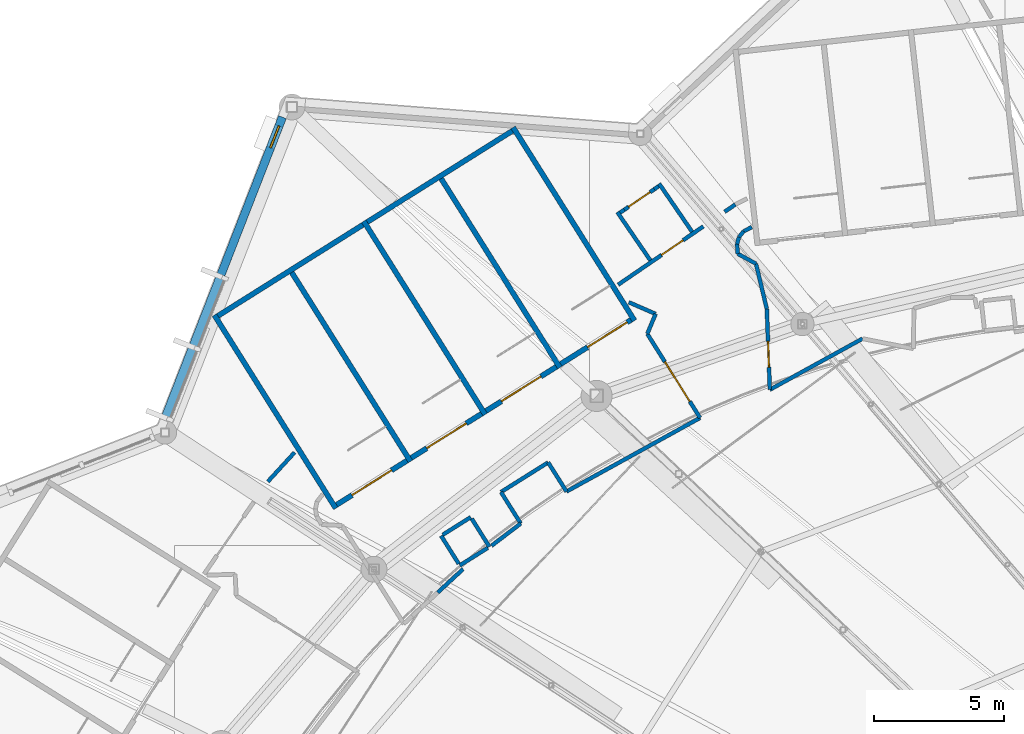
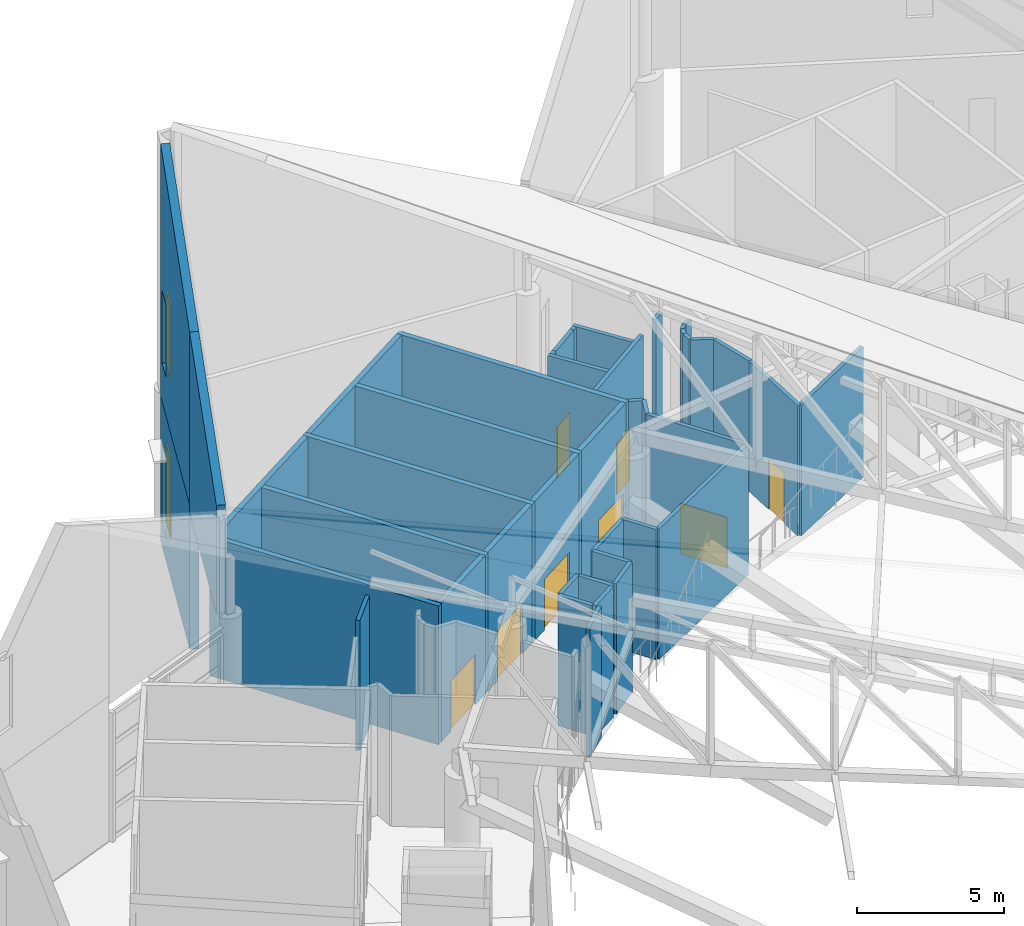
# One storey, part 264 of 344: 43 walls, 8 doors, 2 windows, 10 openings.
"""IFC4 building model written with IfcOpenShell, lengths in metres."""

from ifc_helpers import new_model, si_unit, direction, frame, frame_2d, origin, place, context, subcontext, project, spatial, polyline, rectangle, outline, extrude, material, layer, layer_set, type_object, element, fill, save


model = new_model("IFC4")

# Units and contexts
model_context = context("Model", 3, precision=1e-05, world=origin(), true_north=direction((0.0, 1.0)))
body_context = subcontext(model_context, "Body", "Model", "MODEL_VIEW")
ifc_project = project(units=[si_unit("LENGTHUNIT", "METRE"), si_unit("AREAUNIT", "SQUARE_METRE"), si_unit("VOLUMEUNIT", "CUBIC_METRE"), si_unit("PLANEANGLEUNIT", "RADIAN"), si_unit("MASSUNIT", "GRAM", prefix="KILO")], contexts=[model_context])

# Site, building, storey
site_placement = place(None, origin())
site = spatial("IfcSite", under=ifc_project, at=site_placement, CompositionType="ELEMENT")
building_placement = place(site_placement, origin())
building = spatial("IfcBuilding", under=site, at=building_placement, Name="Meseta Stadium", CompositionType="ELEMENT")
storey_placement = place(building_placement, frame((0.0, 0.0, 24.0)))
storey = spatial("IfcBuildingStorey", under=building, at=storey_placement, Name="L04", CompositionType="ELEMENT", Elevation=24.0)

# Walls
ifc_material_1 = material(Name="Concrete C40/50", Category="concrete")
ifc_layer_1 = layer(ifc_material_1, 0.199951171875)
ifc_layer_set_1 = layer_set([ifc_layer_1], Name="Core divider wall 200")
wall_type_1 = type_object("IfcWallType", Name="Core divider wall 200", PredefinedType="SHEAR", material=ifc_layer_set_1)
wall_1_placement = place(storey_placement, frame((-69.8291015625, 94.314453125, 0.0), z_axis=(0.0, 0.0, 1.0), x_axis=(0.532032334759, -0.846724036963, 0.0)))
element("IfcWall", 1, at=wall_1_placement, inside=storey, type_object=wall_type_1, Name="Core 13 L04 stair A divider wall", PredefinedType="SHEAR", context=body_context, shape_type="SweptSolid", body=[
    extrude(rectangle(XDim=8.800048828125, YDim=0.199951171875, at=frame_2d((4.39990234375, 0.0))), origin(), (0.0, 0.0, 1.0), 5.75),
])
wall_2_placement = place(storey_placement, frame((-75.5869140625, 90.696533203125, 0.0), z_axis=(0.0, 0.0, 1.0), x_axis=(0.532044832901, -0.846716183726, 0.0)))
element("IfcWall", 2, at=wall_2_placement, inside=storey, type_object=wall_type_1, Name="Core 13 L04 stair B divider wall", PredefinedType="SHEAR", context=body_context, shape_type="SweptSolid", body=[
    extrude(rectangle(XDim=8.7998046875, YDim=0.199951171875, at=frame_2d((4.39990234375, 0.0))), origin(), (0.0, 0.0, 1.0), 5.75),
])
ifc_material_2 = material(Name="Concrete C40/50", Category="concrete")
ifc_layer_2 = layer(ifc_material_2, 0.199951171875)
ifc_layer_set_2 = layer_set([ifc_layer_2], Name="Core shaft wall 200")
wall_type_2 = type_object("IfcWallType", Name="Core shaft wall 200", PredefinedType="SHEAR", material=ifc_layer_set_2)
for number, where, z_axis, x_axis, name in (
    (3, (-66.9501953125, 96.123291015625, 0.0), (0.0, 0.0, 1.0), (0.532032334759, -0.846724036963, 0.0), "Core 13 L04 stair wall A-side"),
    (4, (-72.7080078125, 92.505615234375, 0.0), (0.0, 0.0, 1.0), (0.532032334759, -0.846724036963, 0.0), "Core 13 L04 stair wall shared"),
    (5, (-78.4658203125, 88.8876953125, 0.0), (0.0, 0.0, 1.0), (0.532032334759, -0.846724036963, 0.0), "Core 13 L04 stair wall B-side"),
):
    element("IfcWall", number, at=place(storey_placement, frame(where, z_axis=z_axis, x_axis=x_axis)), inside=storey, type_object=wall_type_2, Name=name, PredefinedType="SHEAR", context=body_context, shape_type="SweptSolid", body=[
        extrude(rectangle(XDim=8.800048828125, YDim=0.199951171875, at=frame_2d((4.39990234375, 0.0))), origin(), (0.0, 0.0, 1.0), 5.75),
    ])
for number, where, z_axis, x_axis, name in (
    (6, (-66.981689453125, 95.985595703125, 0.0), (0.0, 0.0, 1.0), (-0.846719870989, -0.532038964807, 0.0), "Core 13 L04 stair A outer end wall"),
    (7, (-72.739501953125, 92.36767578125, 0.0), (0.0, 0.0, 1.0), (-0.846719870989, -0.532038964807, 0.0), "Core 13 L04 stair B outer end wall"),
):
    element("IfcWall", number, at=place(storey_placement, frame(where, z_axis=z_axis, x_axis=x_axis)), inside=storey, type_object=wall_type_2, Name=name, PredefinedType="SHEAR", context=body_context, shape_type="SweptSolid", body=[
        extrude(rectangle(XDim=6.60009765625, YDim=0.199951171875, at=frame_2d((3.300048828125, 0.0))), origin(), (0.0, 0.0, 1.0), 5.75),
    ])

# Wall, opening, door
wall_3_placement = place(storey_placement, frame((-62.40625, 88.70361328125, 0.0), z_axis=(0.0, 0.0, 1.0), x_axis=(-0.846735733015, -0.532013720158, 0.0)))
wall_3 = element("IfcWall", 8, at=wall_3_placement, inside=storey, type_object=wall_type_2, Name="Core 13 L04 stair A1 inner end wall", PredefinedType="SHEAR", context=body_context, shape_type="SweptSolid", body=[
    extrude(rectangle(XDim=3.199951171875, YDim=0.199951171875, at=frame_2d((1.60009765625, 0.0))), origin(), (0.0, 0.0, 1.0), 5.75),
])
opening_1_placement = place(wall_3_placement, frame((0.177978515625, 0.0, 0.0)))
opening_1 = element("IfcOpeningElement", 9, at=opening_1_placement, cuts=wall_3, Name="Opening D1556", PredefinedType="OPENING", context=body_context, shape_type="SweptSolid", body=[
    extrude(rectangle(XDim=1.800048828125, YDim=2.10009765625, at=frame_2d((0.89990234375, 1.050048828125))), frame((0.0, 0.10986328125, 0.0), z_axis=(0.0, -1.0, 0.0), x_axis=(1.0, 0.0, 0.0)), (0.0, 0.0, 1.0), 0.219970703125),
])
ifc_material_3 = material(Name="Steel", Category="steel")
door_type_1 = type_object("IfcDoorType", Name="Stair door 1800x2100", OperationType="DOUBLE_DOOR_SINGLE_SWING", PredefinedType="DOOR", material=ifc_material_3)
door_1_placement = place(opening_1_placement, origin())
door_1 = element("IfcDoor", 10, at=door_1_placement, inside=storey, type_object=door_type_1, Name="Stair A1 door 13 L04", OperationType="DOUBLE_DOOR_SINGLE_SWING", OverallHeight=2.10009765625, OverallWidth=1.800048828125, PredefinedType="DOOR", context=body_context, shape_type="SweptSolid", body=[
    extrude(rectangle(XDim=1.800048828125, YDim=2.10009765625, at=frame_2d((0.89990234375, 1.050048828125))), frame((0.0, 0.02490234375, 0.0), z_axis=(0.0, -1.0, 0.0), x_axis=(1.0, 0.0, 0.0)), (0.0, 0.0, 1.0), 0.050048828125),
])
fill(opening_1, door_1)

wall_4_placement = place(storey_placement, frame((-65.28515625, 86.894775390625, 0.0), z_axis=(0.0, 0.0, 1.0), x_axis=(-0.846735733015, -0.532013720158, 0.0)))
wall_4 = element("IfcWall", 11, at=wall_4_placement, inside=storey, type_object=wall_type_2, Name="Core 13 L04 stair A2 inner end wall", PredefinedType="SHEAR", context=body_context, shape_type="SweptSolid", body=[
    extrude(rectangle(XDim=3.199951171875, YDim=0.199951171875, at=frame_2d((1.60009765625, 0.0))), origin(), (0.0, 0.0, 1.0), 5.75),
])
opening_2_placement = place(wall_4_placement, frame((0.699951171875, 0.0, 0.0)))
opening_2 = element("IfcOpeningElement", 12, at=opening_2_placement, cuts=wall_4, Name="Opening D1553", PredefinedType="OPENING", context=body_context, shape_type="SweptSolid", body=[
    extrude(rectangle(XDim=1.800048828125, YDim=2.10009765625, at=frame_2d((0.89990234375, 1.050048828125))), frame((0.0, 0.10986328125, 0.0), z_axis=(0.0, -1.0, 0.0), x_axis=(1.0, 0.0, 0.0)), (0.0, 0.0, 1.0), 0.219970703125),
])
door_2_placement = place(opening_2_placement, origin())
door_2 = element("IfcDoor", 13, at=door_2_placement, inside=storey, type_object=door_type_1, Name="Stair A2 door 13 L04", OperationType="DOUBLE_DOOR_SINGLE_SWING", OverallHeight=2.10009765625, OverallWidth=1.800048828125, PredefinedType="DOOR", context=body_context, shape_type="SweptSolid", body=[
    extrude(rectangle(XDim=1.800048828125, YDim=2.10009765625, at=frame_2d((0.89990234375, 1.050048828125))), frame((0.0, 0.02490234375, 0.0), z_axis=(0.0, -1.0, 0.0), x_axis=(1.0, 0.0, 0.0)), (0.0, 0.0, 1.0), 0.050048828125),
])
fill(opening_2, door_2)

wall_5_placement = place(storey_placement, frame((-68.1640625, 85.0859375, 0.0), z_axis=(0.0, 0.0, 1.0), x_axis=(-0.84670136309, -0.53206841829, 0.0)))
wall_5 = element("IfcWall", 14, at=wall_5_placement, inside=storey, type_object=wall_type_2, Name="Core 13 L04 stair B1 inner end wall", PredefinedType="SHEAR", context=body_context, shape_type="SweptSolid", body=[
    extrude(rectangle(XDim=3.199951171875, YDim=0.199951171875, at=frame_2d((1.60009765625, 0.0))), origin(), (0.0, 0.0, 1.0), 5.75),
])
opening_3_placement = place(wall_5_placement, frame((0.699951171875, 0.0, 0.0)))
opening_3 = element("IfcOpeningElement", 15, at=opening_3_placement, cuts=wall_5, Name="Opening D1552", PredefinedType="OPENING", context=body_context, shape_type="SweptSolid", body=[
    extrude(rectangle(XDim=1.800048828125, YDim=2.10009765625, at=frame_2d((0.89990234375, 1.050048828125))), frame((0.0, 0.10986328125, 0.0), z_axis=(0.0, -1.0, 0.0), x_axis=(1.0, 0.0, 0.0)), (0.0, 0.0, 1.0), 0.219970703125),
])
door_3_placement = place(opening_3_placement, origin())
door_3 = element("IfcDoor", 16, at=door_3_placement, inside=storey, type_object=door_type_1, Name="Stair B1 door 13 L04", OperationType="DOUBLE_DOOR_SINGLE_SWING", OverallHeight=2.10009765625, OverallWidth=1.800048828125, PredefinedType="DOOR", context=body_context, shape_type="SweptSolid", body=[
    extrude(rectangle(XDim=1.800048828125, YDim=2.10009765625, at=frame_2d((0.89990234375, 1.050048828125))), frame((0.0, 0.02490234375, 0.0), z_axis=(0.0, -1.0, 0.0), x_axis=(1.0, 0.0, 0.0)), (0.0, 0.0, 1.0), 0.050048828125),
])
fill(opening_3, door_3)

wall_6_placement = place(storey_placement, frame((-71.04296875, 83.27685546875, 0.0), z_axis=(0.0, 0.0, 1.0), x_axis=(-0.846735733015, -0.532013720158, 0.0)))
wall_6 = element("IfcWall", 17, at=wall_6_placement, inside=storey, type_object=wall_type_2, Name="Core 13 L04 stair B2 inner end wall", PredefinedType="SHEAR", context=body_context, shape_type="SweptSolid", body=[
    extrude(rectangle(XDim=3.199951171875, YDim=0.199951171875, at=frame_2d((1.60009765625, 0.0))), origin(), (0.0, 0.0, 1.0), 5.75),
])
opening_4_placement = place(wall_6_placement, frame((0.699951171875, 0.0, 0.0)))
opening_4 = element("IfcOpeningElement", 18, at=opening_4_placement, cuts=wall_6, Name="Opening D1550", PredefinedType="OPENING", context=body_context, shape_type="SweptSolid", body=[
    extrude(rectangle(XDim=1.800048828125, YDim=2.10009765625, at=frame_2d((0.89990234375, 1.050048828125))), frame((0.0, 0.10986328125, 0.0), z_axis=(0.0, -1.0, 0.0), x_axis=(1.0, 0.0, 0.0)), (0.0, 0.0, 1.0), 0.219970703125),
])
door_4_placement = place(opening_4_placement, origin())
door_4 = element("IfcDoor", 19, at=door_4_placement, inside=storey, type_object=door_type_1, Name="Stair B2 door 13 L04", OperationType="DOUBLE_DOOR_SINGLE_SWING", OverallHeight=2.10009765625, OverallWidth=1.800048828125, PredefinedType="DOOR", context=body_context, shape_type="SweptSolid", body=[
    extrude(rectangle(XDim=1.800048828125, YDim=2.10009765625, at=frame_2d((0.89990234375, 1.050048828125))), frame((0.0, 0.02490234375, 0.0), z_axis=(0.0, -1.0, 0.0), x_axis=(1.0, 0.0, 0.0)), (0.0, 0.0, 1.0), 0.050048828125),
])
fill(opening_4, door_4)

# Wall
ifc_material_4 = material(Name="Masonry blockwork", Category="masonry")
ifc_layer_3 = layer(ifc_material_4, 0.14990234375)
ifc_layer_set_3 = layer_set([ifc_layer_3], Name="Partition 150")
wall_type_3 = type_object("IfcWallType", Name="Partition 150", PredefinedType="PARTITIONING", material=ifc_layer_set_3)
wall_7_placement = place(storey_placement, frame((-58.386474609375, 93.14892578125, 0.0), z_axis=(0.0, 0.0, 1.0), x_axis=(-0.825114578753, -0.564965425428, 0.0)))
element("IfcWall", 20, at=wall_7_placement, inside=storey, type_object=wall_type_3, Name="Partition L04 L04-cell11-1-0", PredefinedType="PARTITIONING", context=body_context, shape_type="SweptSolid", body=[
    extrude(rectangle(XDim=0.497314453125, YDim=0.14990234375, at=frame_2d((0.24853515625, 0.0))), origin(), (0.0, 0.0, 1.0), 5.39990234375),
])

# Wall, opening, door
wall_8_placement = place(storey_placement, frame((-59.617919921875, 92.3056640625, 0.0), z_axis=(0.0, 0.0, 1.0), x_axis=(-0.825155279728, -0.564905978316, 0.0)))
wall_8 = element("IfcWall", 21, at=wall_8_placement, inside=storey, type_object=wall_type_3, Name="Partition L04 L04-cell11-1-0", PredefinedType="PARTITIONING", context=body_context, shape_type="SweptSolid", body=[
    extrude(rectangle(XDim=3.98046875, YDim=0.14990234375, at=frame_2d((1.990234375, 0.0))), origin(), (0.0, 0.0, 1.0), 5.39990234375),
])
opening_5_placement = place(wall_8_placement, frame((0.949951171875, 0.0, 0.0)))
opening_5 = element("IfcOpeningElement", 22, at=opening_5_placement, cuts=wall_8, Name="Opening D1559", PredefinedType="OPENING", context=body_context, shape_type="SweptSolid", body=[
    extrude(rectangle(XDim=1.0, YDim=2.10009765625, at=frame_2d((0.5, 1.050048828125))), frame((0.0, 0.0849609375, 0.0), z_axis=(0.0, -1.0, 0.0), x_axis=(1.0, 0.0, 0.0)), (0.0, 0.0, 1.0), 0.169921875),
])
ifc_material_5 = material(Name="Steel", Category="steel")
door_type_2 = type_object("IfcDoorType", Name="Fire door 1000x2100 EI2 60", OperationType="NOTDEFINED", PredefinedType="DOOR", material=ifc_material_5)
door_5_placement = place(opening_5_placement, origin())
door_5 = element("IfcDoor", 23, at=door_5_placement, inside=storey, type_object=door_type_2, Name="Room door L04 L04-cell11-1-0", OperationType="SINGLE_SWING_LEFT", OverallHeight=2.10009765625, OverallWidth=1.0, PredefinedType="DOOR", context=body_context, shape_type="SweptSolid", body=[
    extrude(rectangle(XDim=1.0, YDim=2.10009765625, at=frame_2d((0.5, 1.050048828125))), frame((0.0, 0.02490234375, 0.0), z_axis=(0.0, -1.0, 0.0), x_axis=(1.0, 0.0, 0.0)), (0.0, 0.0, 1.0), 0.050048828125),
])
fill(opening_5, door_5)

# Walls
wall_9_placement = place(storey_placement, frame((-75.374755859375, 83.592529296875, 0.0), z_axis=(0.0, 0.0, 1.0), x_axis=(-0.675448373627, -0.737407278622, 0.0)))
element("IfcWall", 24, at=wall_9_placement, inside=storey, type_object=wall_type_3, Name="Partition L04 L04-cell12-1-0", PredefinedType="PARTITIONING", context=body_context, shape_type="SweptSolid", body=[
    extrude(rectangle(XDim=1.52099609375, YDim=0.14990234375, at=frame_2d((0.760498046875, 0.0))), origin(), (0.0, 0.0, 1.0), 5.39990234375),
])
wall_10_placement = place(storey_placement, frame((-57.74609375, 92.279296875, 0.0), z_axis=(0.0, 0.0, 1.0), x_axis=(-0.893189909604, -0.449679647506, 0.0)))
element("IfcWall", 25, at=wall_10_placement, inside=storey, type_object=wall_type_3, Name="Stair vestibule wall L04 core 12", PredefinedType="PARTITIONING", context=body_context, shape_type="SweptSolid", body=[
    extrude(rectangle(XDim=0.356201171875, YDim=0.14990234375, at=frame_2d((0.17822265625, 0.0))), origin(), (0.0, 0.0, 1.0), 5.39990234375),
])
wall_11_placement = place(storey_placement, frame((-58.064208984375, 92.119140625, 0.0), z_axis=(0.0, 0.0, 1.0), x_axis=(-0.623858642008, -0.781537199878, 0.0)))
element("IfcWall", 26, at=wall_11_placement, inside=storey, type_object=wall_type_3, Name="Stair vestibule wall L04 core 12", PredefinedType="PARTITIONING", context=body_context, shape_type="SweptSolid", body=[
    extrude(rectangle(XDim=0.284912109375, YDim=0.14990234375, at=frame_2d((0.142578125, 0.0))), origin(), (0.0, 0.0, 1.0), 5.39990234375),
])
wall_12_placement = place(storey_placement, frame((-58.241943359375, 91.896484375, 0.0), z_axis=(0.0, 0.0, 1.0), x_axis=(-0.277006965163, -0.960867910408, 0.0)))
element("IfcWall", 27, at=wall_12_placement, inside=storey, type_object=wall_type_3, Name="Stair vestibule wall L04 core 12", PredefinedType="PARTITIONING", context=body_context, shape_type="SweptSolid", body=[
    extrude(rectangle(XDim=0.281982421875, YDim=0.14990234375, at=frame_2d((0.14111328125, 0.0))), origin(), (0.0, 0.0, 1.0), 5.39990234375),
])
wall_13_placement = place(storey_placement, frame((-58.320068359375, 91.62548828125, 0.0), z_axis=(0.0, 0.0, 1.0), x_axis=(0.07351223589, -0.997294315222, 0.0)))
element("IfcWall", 28, at=wall_13_placement, inside=storey, type_object=wall_type_3, Name="Stair vestibule wall L04 core 12", PredefinedType="PARTITIONING", context=body_context, shape_type="SweptSolid", body=[
    extrude(rectangle(XDim=0.375244140625, YDim=0.14990234375, at=frame_2d((0.1875, 0.0))), origin(), (0.0, 0.0, 1.0), 5.39990234375),
])
wall_14_placement = place(storey_placement, frame((-58.29248046875, 91.251220703125, 0.0), z_axis=(0.0, 0.0, 1.0), x_axis=(0.877126793636, -0.480258875905, 0.0)))
element("IfcWall", 29, at=wall_14_placement, inside=storey, type_object=wall_type_3, Name="Stair vestibule wall L04 core 12", PredefinedType="PARTITIONING", context=body_context, shape_type="SweptSolid", body=[
    extrude(rectangle(XDim=0.80224609375, YDim=0.14990234375, at=frame_2d((0.401123046875, 0.0))), origin(), (0.0, 0.0, 1.0), 5.39990234375),
])
wall_15_placement = place(storey_placement, frame((-57.5888671875, 90.865966796875, 0.0), z_axis=(0.0, 0.0, 1.0), x_axis=(0.233254361264, -0.972415756223, 0.0)))
element("IfcWall", 30, at=wall_15_placement, inside=storey, type_object=wall_type_3, Name="Stair vestibule wall L04 core 12", PredefinedType="PARTITIONING", context=body_context, shape_type="SweptSolid", body=[
    extrude(rectangle(XDim=1.790771484375, YDim=0.14990234375, at=frame_2d((0.8955078125, 0.0))), origin(), (0.0, 0.0, 1.0), 5.39990234375),
])

# Wall, opening, door
wall_16_placement = place(storey_placement, frame((-57.171142578125, 89.12451171875, 0.0), z_axis=(0.0, 0.0, 1.0), x_axis=(0.037153716569, -0.99930956232, 0.0)))
wall_16 = element("IfcWall", 31, at=wall_16_placement, inside=storey, type_object=wall_type_3, Name="Stair vestibule wall L04 core 12", PredefinedType="PARTITIONING", context=body_context, shape_type="SweptSolid", body=[
    extrude(rectangle(XDim=3.11474609375, YDim=0.14990234375, at=frame_2d((1.557373046875, 0.0))), origin(), (0.0, 0.0, 1.0), 5.39990234375),
])
opening_6_placement = place(wall_16_placement, frame((1.25, 0.0, 0.0)))
opening_6 = element("IfcOpeningElement", 32, at=opening_6_placement, cuts=wall_16, Name="Opening D1562", PredefinedType="OPENING", context=body_context, shape_type="SweptSolid", body=[
    extrude(rectangle(XDim=1.0, YDim=2.10009765625, at=frame_2d((0.5, 1.050048828125))), frame((0.0, 0.0849609375, 0.0), z_axis=(0.0, -1.0, 0.0), x_axis=(1.0, 0.0, 0.0)), (0.0, 0.0, 1.0), 0.169921875),
])
door_6_placement = place(opening_6_placement, origin())
door_6 = element("IfcDoor", 33, at=door_6_placement, inside=storey, type_object=door_type_2, Name="Stair vestibule door L04 core 12", OperationType="SINGLE_SWING_RIGHT", OverallHeight=2.10009765625, OverallWidth=1.0, PredefinedType="DOOR", context=body_context, shape_type="SweptSolid", body=[
    extrude(rectangle(XDim=1.0, YDim=2.10009765625, at=frame_2d((0.5, 1.050048828125))), frame((0.0, 0.02490234375, 0.0), z_axis=(0.0, -1.0, 0.0), x_axis=(1.0, 0.0, 0.0)), (0.0, 0.0, 1.0), 0.050048828125),
])
fill(opening_6, door_6)

# Walls
wall_17_placement = place(storey_placement, frame((-57.055419921875, 86.011962890625, 0.0), z_axis=(0.0, 0.0, 1.0), x_axis=(0.875947742748, 0.482406003253, 0.0)))
element("IfcWall", 34, at=wall_17_placement, inside=storey, type_object=wall_type_3, Name="Stair vestibule wall L04 core 12", PredefinedType="PARTITIONING", context=body_context, shape_type="SweptSolid", body=[
    extrude(rectangle(XDim=4.0771484375, YDim=0.14990234375, at=frame_2d((2.03857421875, 0.0))), origin(), (0.0, 0.0, 1.0), 5.39990234375),
])
for number, where, z_axis, x_axis, name in (
    (35, (-68.58203125, 81.09912109375, 0.0), (0.0, 0.0, 1.0), (-0.846683377265, -0.532097038765, 0.0), "Pressurisation shaft wall L04 core 13"),
    (36, (-69.72509765625, 80.380859375, 0.0), (0.0, 0.0, 1.0), (0.532097038765, -0.846683377265, 0.0), "Pressurisation shaft wall L04 core 13"),
):
    element("IfcWall", number, at=place(storey_placement, frame(where, z_axis=z_axis, x_axis=x_axis)), inside=storey, type_object=wall_type_3, Name=name, PredefinedType="PARTITIONING", context=body_context, shape_type="SweptSolid", body=[
        extrude(rectangle(XDim=1.275146484375, YDim=0.14990234375, at=frame_2d((0.6376953125, 0.0))), origin(), (0.0, 0.0, 1.0), 5.39990234375),
    ])
for number, where, z_axis, x_axis, name in (
    (37, (-69.0068359375, 79.23779296875, 0.0), (0.0, 0.0, 1.0), (0.846769635862, 0.531959757672, 0.0), "Pressurisation shaft wall L04 core 13"),
    (38, (-67.86376953125, 79.9560546875, 0.0), (0.0, 0.0, 1.0), (-0.531959757672, 0.846769635862, 0.0), "Pressurisation shaft wall L04 core 13"),
):
    element("IfcWall", number, at=place(storey_placement, frame(where, z_axis=z_axis, x_axis=x_axis)), inside=storey, type_object=wall_type_3, Name=name, PredefinedType="PARTITIONING", context=body_context, shape_type="SweptSolid", body=[
        extrude(rectangle(XDim=1.27490234375, YDim=0.14990234375, at=frame_2d((0.637451171875, 0.0))), origin(), (0.0, 0.0, 1.0), 5.39990234375),
    ])
wall_18_placement = place(storey_placement, frame((-69.8564453125, 78.194091796875, 0.0), z_axis=(0.0, 0.0, 1.0), x_axis=(0.735042395852, 0.678021147384, 0.0)))
element("IfcWall", 39, at=wall_18_placement, inside=storey, type_object=wall_type_3, Name="Stair vestibule wall L04 core 13", PredefinedType="PARTITIONING", context=body_context, shape_type="SweptSolid", body=[
    extrude(rectangle(XDim=1.33154296875, YDim=0.14990234375, at=frame_2d((0.665771484375, 0.0))), origin(), (0.0, 0.0, 1.0), 5.39990234375),
])
wall_19_placement = place(storey_placement, frame((-67.781005859375, 79.997314453125, 0.0), z_axis=(0.0, 0.0, 1.0), x_axis=(0.795835931132, 0.605512320865, 0.0)))
element("IfcWall", 40, at=wall_19_placement, inside=storey, type_object=wall_type_3, Name="Stair vestibule wall L04 core 13", PredefinedType="PARTITIONING", context=body_context, shape_type="SweptSolid", body=[
    extrude(rectangle(XDim=1.41357421875, YDim=0.14990234375, at=frame_2d((0.706787109375, 0.0))), origin(), (0.0, 0.0, 1.0), 5.39990234375),
])
wall_20_placement = place(storey_placement, frame((-66.656005859375, 80.853271484375, 0.0), z_axis=(0.0, 0.0, 1.0), x_axis=(-0.531361594609, 0.847145120847, 0.0)))
element("IfcWall", 41, at=wall_20_placement, inside=storey, type_object=wall_type_3, Name="Stair vestibule wall L04 core 13", PredefinedType="PARTITIONING", context=body_context, shape_type="SweptSolid", body=[
    extrude(rectangle(XDim=1.4326171875, YDim=0.14990234375, at=frame_2d((0.71630859375, 0.0))), origin(), (0.0, 0.0, 1.0), 5.39990234375),
])
wall_21_placement = place(storey_placement, frame((-67.417236328125, 82.06689453125, 0.0), z_axis=(0.0, 0.0, 1.0), x_axis=(0.846705342026, 0.532062086401, 0.0)))
element("IfcWall", 42, at=wall_21_placement, inside=storey, type_object=wall_type_3, Name="Stair vestibule wall L04 core 13", PredefinedType="PARTITIONING", context=body_context, shape_type="SweptSolid", body=[
    extrude(rectangle(XDim=2.14697265625, YDim=0.14990234375, at=frame_2d((1.073486328125, 0.0))), origin(), (0.0, 0.0, 1.0), 5.39990234375),
])
wall_22_placement = place(storey_placement, frame((-65.599365234375, 83.209228515625, 0.0), z_axis=(0.0, 0.0, 1.0), x_axis=(0.533335266063, -0.845903950797, 0.0)))
element("IfcWall", 43, at=wall_22_placement, inside=storey, type_object=wall_type_3, Name="Stair vestibule wall L04 core 13", PredefinedType="PARTITIONING", context=body_context, shape_type="SweptSolid", body=[
    extrude(rectangle(XDim=1.3271484375, YDim=0.14990234375, at=frame_2d((0.66357421875, 0.0))), origin(), (0.0, 0.0, 1.0), 5.39990234375),
])
wall_23_placement = place(storey_placement, frame((-64.8916015625, 82.086669921875, 0.0), z_axis=(0.0, 0.0, 1.0), x_axis=(0.875606754079, 0.483024649694, 0.0)))
element("IfcWall", 44, at=wall_23_placement, inside=storey, type_object=wall_type_3, Name="Stair vestibule wall L04 core 13", PredefinedType="PARTITIONING", context=body_context, shape_type="SweptSolid", body=[
    extrude(rectangle(XDim=5.87939453125, YDim=0.14990234375, at=frame_2d((2.939697265625, 0.0))), origin(), (0.0, 0.0, 1.0), 5.39990234375),
])

# Wall, opening, door
wall_24_placement = place(storey_placement, frame((-59.74365234375, 84.926513671875, 0.0), z_axis=(0.0, 0.0, 1.0), x_axis=(-0.5319714961, 0.846762261403, 0.0)))
wall_24 = element("IfcWall", 45, at=wall_24_placement, inside=storey, type_object=wall_type_3, Name="Stair vestibule wall L04 core 13", PredefinedType="PARTITIONING", context=body_context, shape_type="SweptSolid", body=[
    extrude(rectangle(XDim=3.82421875, YDim=0.14990234375, at=frame_2d((1.912109375, 0.0))), origin(), (0.0, 0.0, 1.0), 5.39990234375),
])
opening_7_placement = place(wall_24_placement, frame((0.75, 0.0, 0.0)))
opening_7 = element("IfcOpeningElement", 46, at=opening_7_placement, cuts=wall_24, Name="Opening D1560", PredefinedType="OPENING", context=body_context, shape_type="SweptSolid", body=[
    extrude(rectangle(XDim=1.800048828125, YDim=2.10009765625, at=frame_2d((0.89990234375, 1.050048828125))), frame((0.0, 0.0849609375, 0.0), z_axis=(0.0, -1.0, 0.0), x_axis=(1.0, 0.0, 0.0)), (0.0, 0.0, 1.0), 0.169921875),
])
ifc_material_6 = material(Name="Steel", Category="steel")
door_type_3 = type_object("IfcDoorType", Name="Fire double door 1800x2100 EI2 60", OperationType="DOUBLE_DOOR_SINGLE_SWING", PredefinedType="DOOR", material=ifc_material_6)
door_7_placement = place(opening_7_placement, origin())
door_7 = element("IfcDoor", 47, at=door_7_placement, inside=storey, type_object=door_type_3, Name="Stair vestibule door L04 core 13", OperationType="DOUBLE_DOOR_SINGLE_SWING", OverallHeight=2.10009765625, OverallWidth=1.800048828125, PredefinedType="DOOR", context=body_context, shape_type="SweptSolid", body=[
    extrude(rectangle(XDim=1.800048828125, YDim=2.10009765625, at=frame_2d((0.89990234375, 1.050048828125))), frame((0.0, 0.02490234375, 0.0), z_axis=(0.0, -1.0, 0.0), x_axis=(1.0, 0.0, 0.0)), (0.0, 0.0, 1.0), 0.050048828125),
])
fill(opening_7, door_7)

# Walls
wall_25_placement = place(storey_placement, frame((-61.778076171875, 88.164794921875, 0.0), z_axis=(0.0, 0.0, 1.0), x_axis=(0.385492124347, 0.922711126012, 0.0)))
element("IfcWall", 48, at=wall_25_placement, inside=storey, type_object=wall_type_3, Name="Stair vestibule wall L04 core 13", PredefinedType="PARTITIONING", context=body_context, shape_type="SweptSolid", body=[
    extrude(rectangle(XDim=0.830322265625, YDim=0.14990234375, at=frame_2d((0.4150390625, 0.0))), origin(), (0.0, 0.0, 1.0), 5.39990234375),
])
wall_26_placement = place(storey_placement, frame((-61.4580078125, 88.930908203125, 0.0), z_axis=(0.0, 0.0, 1.0), x_axis=(-0.916321285773, 0.400443880263, 0.0)))
element("IfcWall", 49, at=wall_26_placement, inside=storey, type_object=wall_type_3, Name="Stair vestibule wall L04 core 13", PredefinedType="PARTITIONING", context=body_context, shape_type="SweptSolid", body=[
    extrude(rectangle(XDim=1.127197265625, YDim=0.14990234375, at=frame_2d((0.5634765625, 0.0))), origin(), (0.0, 0.0, 1.0), 5.39990234375),
])
wall_27_placement = place(storey_placement, frame((-60.05224609375, 92.09912109375, 0.0), z_axis=(0.0, 0.0, 1.0), x_axis=(-0.564948375726, 0.825126252621, 0.0)))
element("IfcWall", 50, at=wall_27_placement, inside=storey, type_object=wall_type_3, Name="Partition L04 L04-cell11-1-0 vestibule", PredefinedType="PARTITIONING", context=body_context, shape_type="SweptSolid", body=[
    extrude(rectangle(XDim=2.250244140625, YDim=0.14990234375, at=frame_2d((1.125, 0.0))), origin(), (0.0, 0.0, 1.0), 5.39990234375),
])
wall_28_placement = place(storey_placement, frame((-61.661376953125, 90.997802734375, 0.0), z_axis=(0.0, 0.0, 1.0), x_axis=(-0.56492507971, 0.825142202481, 0.0)))
element("IfcWall", 51, at=wall_28_placement, inside=storey, type_object=wall_type_3, Name="Partition L04 L04-cell11-1-0 vestibule", PredefinedType="PARTITIONING", context=body_context, shape_type="SweptSolid", body=[
    extrude(rectangle(XDim=2.249755859375, YDim=0.14990234375, at=frame_2d((1.125, 0.0))), origin(), (0.0, 0.0, 1.0), 5.39990234375),
])
wall_29_placement = place(storey_placement, frame((-61.343017578125, 93.8515625, 0.0), z_axis=(0.0, 0.0, 1.0), x_axis=(-0.824647441865, -0.565647060123, 0.0)))
element("IfcWall", 52, at=wall_29_placement, inside=storey, type_object=wall_type_3, Name="Partition L04 L04-cell11-1-0 vestibule", PredefinedType="PARTITIONING", context=body_context, shape_type="SweptSolid", body=[
    extrude(rectangle(XDim=0.199951171875, YDim=0.14990234375, at=frame_2d((0.10009765625, 0.0))), origin(), (0.0, 0.0, 1.0), 5.39990234375),
])

# Wall, opening, door
wall_30_placement = place(storey_placement, frame((-61.5078125, 93.738525390625, 0.0), z_axis=(0.0, 0.0, 1.0), x_axis=(-0.825200310894, -0.564840195897, 0.0)))
wall_30 = element("IfcWall", 53, at=wall_30_placement, inside=storey, type_object=wall_type_3, Name="Partition L04 L04-cell11-1-0 vestibule", PredefinedType="PARTITIONING", context=body_context, shape_type="SweptSolid", body=[
    extrude(rectangle(XDim=1.39990234375, YDim=0.14990234375, at=frame_2d((0.699951171875, 0.0))), origin(), (0.0, 0.0, 1.0), 5.39990234375),
])
opening_8_placement = place(wall_30_placement, frame((0.199951171875, 0.0, 0.0)))
opening_8 = element("IfcOpeningElement", 54, at=opening_8_placement, cuts=wall_30, Name="Opening D1557", PredefinedType="OPENING", context=body_context, shape_type="SweptSolid", body=[
    extrude(rectangle(XDim=1.0, YDim=2.10009765625, at=frame_2d((0.5, 1.050048828125))), frame((0.0, 0.0849609375, 0.0), z_axis=(0.0, -1.0, 0.0), x_axis=(1.0, 0.0, 0.0)), (0.0, 0.0, 1.0), 0.169921875),
])
door_8_placement = place(opening_8_placement, origin())
door_8 = element("IfcDoor", 55, at=door_8_placement, inside=storey, type_object=door_type_2, Name="Vestibule door L04 L04-cell11-1-0", OperationType="SINGLE_SWING_RIGHT", OverallHeight=2.10009765625, OverallWidth=1.0, PredefinedType="DOOR", context=body_context, shape_type="SweptSolid", body=[
    extrude(rectangle(XDim=1.0, YDim=2.10009765625, at=frame_2d((0.5, 1.050048828125))), frame((0.0, 0.02490234375, 0.0), z_axis=(0.0, -1.0, 0.0), x_axis=(1.0, 0.0, 0.0)), (0.0, 0.0, 1.0), 0.050048828125),
])
fill(opening_8, door_8)

# Wall
wall_31_placement = place(storey_placement, frame((-62.6630859375, 92.94775390625, 0.0), z_axis=(0.0, 0.0, 1.0), x_axis=(-0.825037742793, -0.565077625611, 0.0)))
element("IfcWall", 56, at=wall_31_placement, inside=storey, type_object=wall_type_3, Name="Partition L04 L04-cell11-1-0 vestibule", PredefinedType="PARTITIONING", context=body_context, shape_type="SweptSolid", body=[
    extrude(rectangle(XDim=0.199951171875, YDim=0.14990234375, at=frame_2d((0.10009765625, 0.0))), origin(), (0.0, 0.0, 1.0), 5.39990234375),
])

# Wall, opening, window
ifc_material_7 = material(Name="White precast concrete C40/50", Category="concrete")
ifc_layer_4 = layer(ifc_material_7, 0.320068359375)
ifc_layer_set_4 = layer_set([ifc_layer_4], Name="Pleated fascia panel 320 raked")
wall_type_4 = type_object("IfcWallType", Name="Pleated fascia panel 320 raked", PredefinedType="SOLIDWALL", material=ifc_layer_set_4)
wall_32_placement = place(storey_placement, frame((-78.208740234375, 90.447021484375, 6.0), z_axis=(0.0, 0.0, 1.0), x_axis=(0.363305260642, 0.931670160298, 0.0)))
wall_32 = element("IfcWall", 57, at=wall_32_placement, inside=storey, type_object=wall_type_4, Name="Pleated fascia panel L04 F24", PredefinedType="SOLIDWALL", context=body_context, shape_type="SweptSolid", body=[
    extrude(outline(polyline([(0.0, 0.0), (6.513671875, 0.0), (6.513671875, 10.437744140625), (0.0, 7.147705078125), (0.0, 0.0)])), frame((0.0, 0.16015625, 0.0), z_axis=(0.0, -1.0, 0.0), x_axis=(1.0, 0.0, 0.0)), (0.0, 0.0, 1.0), 0.320068359375),
])
opening_9_placement = place(wall_32_placement, frame((5.250244140625, 0.0, 1.60009765625)))
opening_9 = element("IfcOpeningElement", 58, at=opening_9_placement, cuts=wall_32, Name="Opening W219", PredefinedType="OPENING", context=body_context, shape_type="SweptSolid", body=[
    extrude(rectangle(XDim=0.89990234375, YDim=3.0, at=frame_2d((0.449951171875, 1.5))), frame((0.0, 0.169921875, 0.0), z_axis=(0.0, -1.0, 0.0), x_axis=(1.0, 0.0, 0.0)), (0.0, 0.0, 1.0), 0.340087890625),
])
ifc_material_8 = material(Name="Aluminium", Category="aluminium")
window_type_1 = type_object("IfcWindowType", Name="Slot window 900x3000", PartitioningType="SINGLE_PANEL", PredefinedType="WINDOW", material=ifc_material_8)
window_1_placement = place(opening_9_placement, origin())
window_1 = element("IfcWindow", 59, at=window_1_placement, inside=storey, type_object=window_type_1, Name="Slot window L04 F24.6", OverallHeight=3.0, OverallWidth=0.89990234375, PartitioningType="SINGLE_PANEL", PredefinedType="WINDOW", context=body_context, shape_type="SweptSolid", body=[
    extrude(rectangle(XDim=0.89990234375, YDim=3.0, at=frame_2d((0.449951171875, 1.5))), frame((0.0, 0.030029296875, 0.0), z_axis=(0.0, -1.0, 0.0), x_axis=(1.0, 0.0, 0.0)), (0.0, 0.0, 1.0), 0.06005859375),
])
fill(opening_9, window_1)

# Wall
wall_33_placement = place(storey_placement, frame((-80.388427734375, 84.85693359375, 5.64990234375), z_axis=(0.0, 0.0, 1.0), x_axis=(0.36328064341, 0.931679759426, 0.0)))
element("IfcWall", 60, at=wall_33_placement, inside=storey, type_object=wall_type_4, Name="Pleated facade panel above atrium F24", PredefinedType="SOLIDWALL", context=body_context, shape_type="SweptSolid", body=[
    extrude(outline(polyline([(0.0, 0.0), (6.0, 0.0), (6.0, 7.497802734375), (0.0, 4.46728515625), (0.0, 0.0)])), frame((0.0, 0.16015625, 0.0), z_axis=(0.0, -1.0, 0.0), x_axis=(1.0, 0.0, 0.0)), (0.0, 0.0, 1.0), 0.320068359375),
])

# Wall, opening, window
ifc_material_9 = material(Name="White precast concrete C40/50", Category="concrete")
ifc_layer_5 = layer(ifc_material_9, 0.320068359375)
ifc_layer_set_5 = layer_set([ifc_layer_5], Name="Pleated panel wall 320")
wall_type_5 = type_object("IfcWallType", Name="Pleated panel wall 320", PredefinedType="SOLIDWALL", material=ifc_layer_set_5)
wall_34_placement = place(storey_placement, frame((-78.208740234375, 90.447021484375, 0.0), z_axis=(0.0, 0.0, 1.0), x_axis=(0.363305260642, 0.931670160298, 0.0)))
wall_34 = element("IfcWall", 61, at=wall_34_placement, inside=storey, type_object=wall_type_5, Name="Pleated facade panel L04 F24", PredefinedType="SOLIDWALL", context=body_context, shape_type="SweptSolid", body=[
    extrude(rectangle(XDim=6.513671875, YDim=0.320068359375, at=frame_2d((3.2568359375, 0.0))), origin(), (0.0, 0.0, 1.0), 6.0),
])
opening_10_placement = place(wall_34_placement, frame((5.250244140625, 0.0, 1.0)))
opening_10 = element("IfcOpeningElement", 62, at=opening_10_placement, cuts=wall_34, Name="Opening W218", PredefinedType="OPENING", context=body_context, shape_type="SweptSolid", body=[
    extrude(rectangle(XDim=0.89990234375, YDim=3.25, at=frame_2d((0.449951171875, 1.625))), frame((0.0, 0.169921875, 0.0), z_axis=(0.0, -1.0, 0.0), x_axis=(1.0, 0.0, 0.0)), (0.0, 0.0, 1.0), 0.340087890625),
])
ifc_material_10 = material(Name="Aluminium", Category="aluminium")
window_type_2 = type_object("IfcWindowType", Name="Slot window 900x3250", PartitioningType="SINGLE_PANEL", PredefinedType="WINDOW", material=ifc_material_10)
window_2_placement = place(opening_10_placement, origin())
window_2 = element("IfcWindow", 63, at=window_2_placement, inside=storey, type_object=window_type_2, Name="Slot window L04 F24.6", OverallHeight=3.25, OverallWidth=0.89990234375, PartitioningType="SINGLE_PANEL", PredefinedType="WINDOW", context=body_context, shape_type="SweptSolid", body=[
    extrude(rectangle(XDim=0.89990234375, YDim=3.25, at=frame_2d((0.449951171875, 1.625))), frame((0.0, 0.030029296875, 0.0), z_axis=(0.0, -1.0, 0.0), x_axis=(1.0, 0.0, 0.0)), (0.0, 0.0, 1.0), 0.06005859375),
])
fill(opening_10, window_2)

save(model, "model.ifc")
